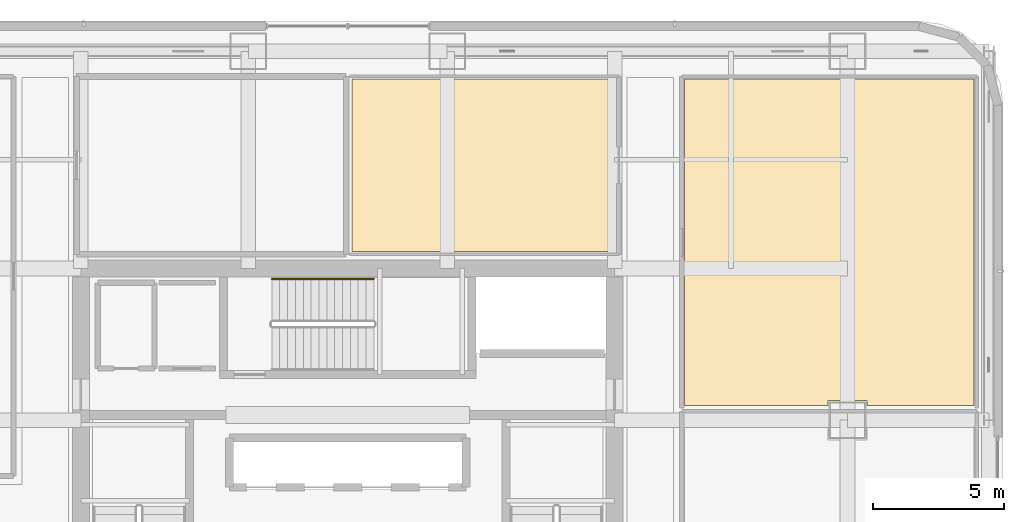
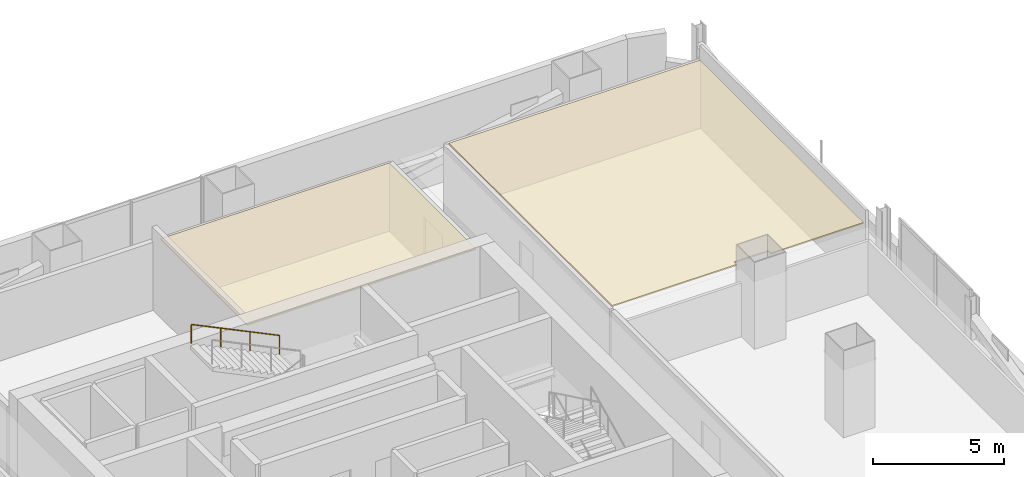
# One storey, part 26 of 27: 2 coverings, 1 railing.
"""IFC4 building model written with IfcOpenShell, lengths in metres."""

import ifcopenshell
import ifcopenshell.guid

model = None  # the IFC model being written
_history = None  # IfcOwnerHistory: only IFC2X3 demands one
_inside = {}  # id of a spatial element -> (the spatial element, [elements in it])
_under = {}  # id of a project, library or spatial element -> (it, [spatial elements below it])
_declared = {}  # id of a project -> (the project, [libraries it declares])
_typed = {}  # id of a type object -> (the type object, [elements of that type])
_made_of = {}  # id of a material, layer set ... -> (it, [elements and type objects made of it])


def new_model(schema):
    """Start an empty IFC model of exactly this schema.

    Asked for "IFC4X3", IfcOpenShell would pick the latest addendum, in which some entities
    have other attributes; the version numbers below select the first issue.
    IFC2X3 requires an IfcOwnerHistory on every rooted entity: one is made here for all.
    """
    global model, _history
    if schema == "IFC4X3":
        model = ifcopenshell.file(schema_version=(4, 3, 0, 0))
    else:
        model = ifcopenshell.file(schema=schema)
    _inside.clear()
    _under.clear()
    _declared.clear()
    _typed.clear()
    _made_of.clear()
    _history = None
    if model.schema == "IFC2X3":
        org = make("IfcOrganization", Name="unknown")
        user = make(
            "IfcPersonAndOrganization",
            ThePerson=make("IfcPerson", FamilyName="unknown"),
            TheOrganization=org,
        )
        app = make(
            "IfcApplication",
            ApplicationDeveloper=org,
            Version="unknown",
            ApplicationFullName="unknown",
            ApplicationIdentifier="unknown",
        )
        _history = make(
            "IfcOwnerHistory",
            OwningUser=user,
            OwningApplication=app,
            ChangeAction="ADDED",
            CreationDate=0,
        )
    return model


def make(cls, **values):
    """One entity of the class cls with the attributes given. An attribute that is None is left unset."""
    return model.create_entity(
        cls, **{name: value for name, value in values.items() if value is not None}
    )


def rooted(cls, **values):
    """An entity with a GlobalId (a new one), such as an element, a storey or a relation."""
    return make(cls, GlobalId=ifcopenshell.guid.new(), OwnerHistory=_history, **values)


def si_unit(unit_type, name, prefix=None):
    """IfcSIUnit, for example si_unit("LENGTHUNIT", "METRE", prefix="MILLI")."""
    return make("IfcSIUnit", UnitType=unit_type, Prefix=prefix, Name=name)


def assignment(units):
    """IfcUnitAssignment: the units of a project."""
    return None if units is None else make("IfcUnitAssignment", Units=units)


def point(xyz):
    """IfcCartesianPoint."""
    return None if xyz is None else make("IfcCartesianPoint", Coordinates=xyz)


def direction(xyz):
    """IfcDirection."""
    return None if xyz is None else make("IfcDirection", DirectionRatios=xyz)


def frame(location, z_axis=None, x_axis=None):
    """IfcAxis2Placement3D, a coordinate frame: its origin and axes. An axis left out is left unset."""
    return make(
        "IfcAxis2Placement3D",
        Location=point(location),
        Axis=direction(z_axis),
        RefDirection=direction(x_axis),
    )


def frame_2d(location, x_axis=None):
    """IfcAxis2Placement2D, a coordinate frame in the plane: its origin and x axis."""
    return make(
        "IfcAxis2Placement2D", Location=point(location), RefDirection=direction(x_axis)
    )


def origin():
    """The frame at (0, 0, 0) with its axes left unset."""
    return frame((0.0, 0.0, 0.0))


def origin_2d():
    """The frame at (0, 0) in the plane with its x axis left unset."""
    return frame_2d((0.0, 0.0))


def place(relative_to, where):
    """IfcLocalPlacement: puts the frame where relative to a parent placement (None: the world)."""
    return make(
        "IfcLocalPlacement", PlacementRelTo=relative_to, RelativePlacement=where
    )


def context(
    kind, dimensions, precision=None, world=None, true_north=None, identifier=None
):
    """IfcGeometricRepresentationContext, for example the 3D "Model" context."""
    return make(
        "IfcGeometricRepresentationContext",
        ContextIdentifier=identifier,
        ContextType=kind,
        CoordinateSpaceDimension=dimensions,
        Precision=precision,
        WorldCoordinateSystem=world,
        TrueNorth=true_north,
    )


def subcontext(parent, identifier, kind, view, scale=None):
    """IfcGeometricRepresentationSubContext, for example "Body" below "Model"."""
    return make(
        "IfcGeometricRepresentationSubContext",
        ContextIdentifier=identifier,
        ContextType=kind,
        ParentContext=parent,
        TargetScale=scale,
        TargetView=view,
    )


def project(units=None, contexts=None):
    """IfcProject with its units and contexts."""
    return rooted(
        "IfcProject",
        Name="project",
        RepresentationContexts=contexts,
        UnitsInContext=assignment(units),
    )


def spatial(cls, under=None, at=None, **own):
    """A site, building, storey or space (cls), placed at a placement, below another one or the project."""
    s = rooted(cls, ObjectPlacement=at, **own)
    if under is not None:
        _under.setdefault(under.id(), (under, []))[1].append(s)
    return s


def polyline(points):
    """IfcPolyline through the points."""
    return make("IfcPolyline", Points=[point(p) for p in points])


def profile(cls, at=None, kind="AREA", **sizes):
    """A parametric profile (cls). Its sizes go by their IFC names, for example OverallWidth=200.0."""
    return make(cls, ProfileType=kind, Position=at, **sizes)


def circle(**sizes):
    """IfcCircleProfileDef."""
    return profile("IfcCircleProfileDef", **sizes)


def outline(outer, holes=None, kind="AREA"):
    """IfcArbitraryClosedProfileDef: a profile drawn as a closed curve; with holes, ...WithVoids."""
    if holes is None:
        return make("IfcArbitraryClosedProfileDef", ProfileType=kind, OuterCurve=outer)
    return make(
        "IfcArbitraryProfileDefWithVoids",
        ProfileType=kind,
        OuterCurve=outer,
        InnerCurves=holes,
    )


def extrude(swept, where, along, depth):
    """IfcExtrudedAreaSolid: the profile swept, set in the frame where, extruded along a direction by depth."""
    return make(
        "IfcExtrudedAreaSolid",
        SweptArea=swept,
        Position=where,
        ExtrudedDirection=direction(along),
        Depth=depth,
    )


def shape(context_of_items, identifier, shape_type, items):
    """IfcShapeRepresentation: the items that make up one representation, for example the "Body"."""
    return make(
        "IfcShapeRepresentation",
        ContextOfItems=context_of_items,
        RepresentationIdentifier=identifier,
        RepresentationType=shape_type,
        Items=items,
    )


def material(Name=None, Category=None):
    """IfcMaterial."""
    return make("IfcMaterial", Name=Name, Category=Category)


def layer(
    of_material, thickness, ventilated=None, Name=None, Category=None, Priority=None
):
    """IfcMaterialLayer: one layer of a wall or slab, of a material (None: an air gap)."""
    return make(
        "IfcMaterialLayer",
        Material=of_material,
        LayerThickness=thickness,
        IsVentilated=ventilated,
        Name=Name,
        Category=Category,
        Priority=Priority,
    )


def layer_set(layers, Name=None):
    """IfcMaterialLayerSet."""
    return make("IfcMaterialLayerSet", MaterialLayers=layers, LayerSetName=Name)


def made_of(thing, what):
    """Note that an element or type object is made of a material, layer set ...; save() writes the relation."""
    if what is not None:
        _made_of.setdefault(what.id(), (what, []))[1].append(thing)
    return thing


def type_object(cls, material=None, **own):
    """A type object (cls), such as IfcWallType, which elements share."""
    return made_of(rooted(cls, **own), material)


def element(
    cls,
    number,
    at=None,
    inside=None,
    cuts=None,
    type_object=None,
    material=None,
    context=None,
    identifier="Body",
    shape_type=None,
    held_by="IfcProductDefinitionShape",
    body=None,
    shapes=None,
    **own,
):
    """One element of the class cls, such as IfcWall. Its Tag is "e" and its number.

    at: its placement. inside: the storey or other place that contains it. cuts: it is an
    opening in that element (IfcRelVoidsElement). A single representation is given by context,
    identifier, shape_type and body (its items); several are given by shapes. held_by: the class
    of the entity that holds the representations. save() writes the other relations.
    """
    e = rooted(cls, Tag="e%d" % number, ObjectPlacement=at, **own)
    if body is not None:
        shapes = [shape(context, identifier, shape_type, body)]
    if shapes is not None:
        e.Representation = make(held_by, Representations=shapes)
    if inside is not None:
        _inside.setdefault(inside.id(), (inside, []))[1].append(e)
    if cuts is not None:
        rooted(
            "IfcRelVoidsElement", RelatingBuildingElement=cuts, RelatedOpeningElement=e
        )
    if type_object is not None:
        _typed.setdefault(type_object.id(), (type_object, []))[1].append(e)
    return made_of(e, material)


def aggregate(whole, parts):
    """IfcRelAggregates: a whole, such as a stair, and the parts it consists of."""
    return rooted("IfcRelAggregates", RelatingObject=whole, RelatedObjects=parts)


def save(model, path):
    """Write the relations noted so far, then the file.

    IfcRelAggregates (storeys below a building ...), IfcRelContainedInSpatialStructure (elements
    in a storey), IfcRelDefinesByType, IfcRelAssociatesMaterial and IfcRelDeclares: one each for
    every whole, place, type object, material and project.
    """
    for whole, parts in _under.values():
        aggregate(whole, parts)
    for where, things in _inside.values():
        rooted(
            "IfcRelContainedInSpatialStructure",
            RelatedElements=things,
            RelatingStructure=where,
        )
    for kind, things in _typed.values():
        rooted("IfcRelDefinesByType", RelatedObjects=things, RelatingType=kind)
    for what, things in _made_of.values():
        rooted("IfcRelAssociatesMaterial", RelatedObjects=things, RelatingMaterial=what)
    for by, libraries in _declared.values():
        rooted("IfcRelDeclares", RelatingContext=by, RelatedDefinitions=libraries)
    model.write(path)


model = new_model("IFC4")

# Units and contexts
model_context = context("Model", 3, precision=1e-05, world=origin(), true_north=direction((0.0, 1.0)))
body_context = subcontext(model_context, "Body", "Model", "MODEL_VIEW")
ifc_project = project(units=[si_unit("LENGTHUNIT", "METRE"), si_unit("AREAUNIT", "SQUARE_METRE"), si_unit("VOLUMEUNIT", "CUBIC_METRE"), si_unit("PLANEANGLEUNIT", "RADIAN"), si_unit("MASSUNIT", "GRAM", prefix="KILO")], contexts=[model_context])

# Site, building, storey
site_placement = place(None, origin())
site = spatial("IfcSite", under=ifc_project, at=site_placement, CompositionType="ELEMENT")
building_placement = place(site_placement, origin())
building = spatial("IfcBuilding", under=site, at=building_placement, Name="Punatoya Terracotta Tower", CompositionType="ELEMENT")
storey_placement = place(building_placement, frame((0.0, 0.0, 204.60009765625)))
storey = spatial("IfcBuildingStorey", under=building, at=storey_placement, Name="L48", CompositionType="ELEMENT", Elevation=204.60009765625)

# Coverings
ifc_material_1 = material(Name="Acoustic Mineral Fibre Ceiling")
ifc_layer = layer(ifc_material_1, 0.06005859375)
ifc_layer_set = layer_set([ifc_layer], Name="Acoustic Mineral Fibre Ceiling")
covering_type = type_object("IfcCoveringType", Name="COV-CEIL-60", PredefinedType="CEILING", material=ifc_layer_set)
covering_1_placement = place(storey_placement, frame((0.0, 0.0, 3.159912109375)))
element("IfcCovering", 1, at=covering_1_placement, inside=storey, type_object=covering_type, Name="L48 Acoustic Wellness Room Acoustic Ceiling", PredefinedType="CEILING", context=body_context, shape_type="SweptSolid", body=[
    extrude(outline(polyline([(12.8701171875, 16.43994140625), (12.8701171875, 3.9599609375), (18.35009765625, 3.9599609375), (18.35009765625, 4.14990234375), (19.85009765625, 4.14990234375), (19.85009765625, 3.9599609375), (23.93994140625, 3.9599609375), (23.93994140625, 16.43994140625), (12.8701171875, 16.43994140625)])), origin(), (0.0, 0.0, 1.0), 0.06005859375),
])
covering_2_placement = place(storey_placement, frame((0.0, 0.0, 3.159912109375)))
element("IfcCovering", 2, at=covering_2_placement, inside=storey, type_object=covering_type, Name="L48 Editorial Conference Room Acoustic Ceiling", PredefinedType="CEILING", context=body_context, shape_type="SweptSolid", body=[
    extrude(outline(polyline([(10.260009765625, 9.840087890625), (10.260009765625, 16.43994140625), (0.159912109375, 16.43994140625), (0.159912109375, 9.840087890625), (10.260009765625, 9.840087890625)])), origin(), (0.0, 0.0, 1.0), 0.06005859375),
])

# Railing
ifc_material_2 = material(Name="Steel S355", Category="steel")
railing_type = type_object("IfcRailingType", Name="RLG-HND-900", PredefinedType="HANDRAIL", material=ifc_material_2)
railing_placement = place(storey_placement, frame((1.0, 8.800048828125, 2.16943359375)))
element("IfcRailing", 3, at=railing_placement, inside=storey, type_object=railing_type, Name="L48 ST-3 stair handrail 2", PredefinedType="HANDRAIL", context=body_context, shape_type="SweptSolid", body=[
    extrude(circle(Radius=0.02392578125, at=origin_2d()), frame((0.0, 0.0, 0.8759765625), z_axis=(-0.900763166376, 0.0, 0.434310623978), x_axis=(0.0, -1.0, 0.0)), (0.0, 0.0, 1.0), 4.32958984375),
    extrude(circle(Radius=0.02099609375, at=origin_2d()), origin(), (0.0, 0.0, 1.0), 0.851806640625),
    extrude(circle(Radius=0.02099609375, at=origin_2d()), frame((-1.300048828125, 0.0, 0.626708984375)), (0.0, 0.0, 1.0), 0.851806640625),
    extrude(circle(Radius=0.02099609375, at=origin_2d()), frame((-2.599853515625, 0.0, 1.253662109375)), (0.0, 0.0, 1.0), 0.851806640625),
    extrude(circle(Radius=0.02099609375, at=origin_2d()), frame((-3.89990234375, 0.0, 1.88037109375)), (0.0, 0.0, 1.0), 0.851806640625),
])

save(model, "model.ifc")
